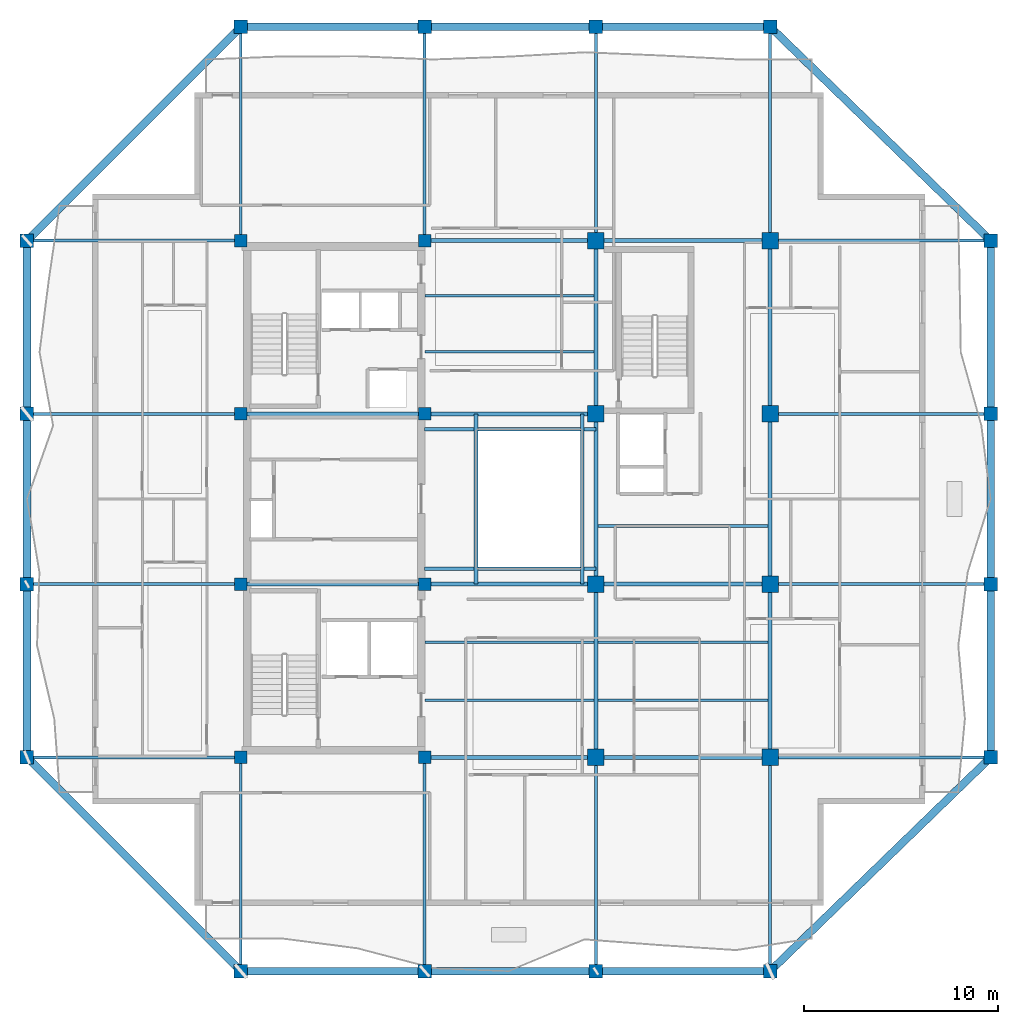
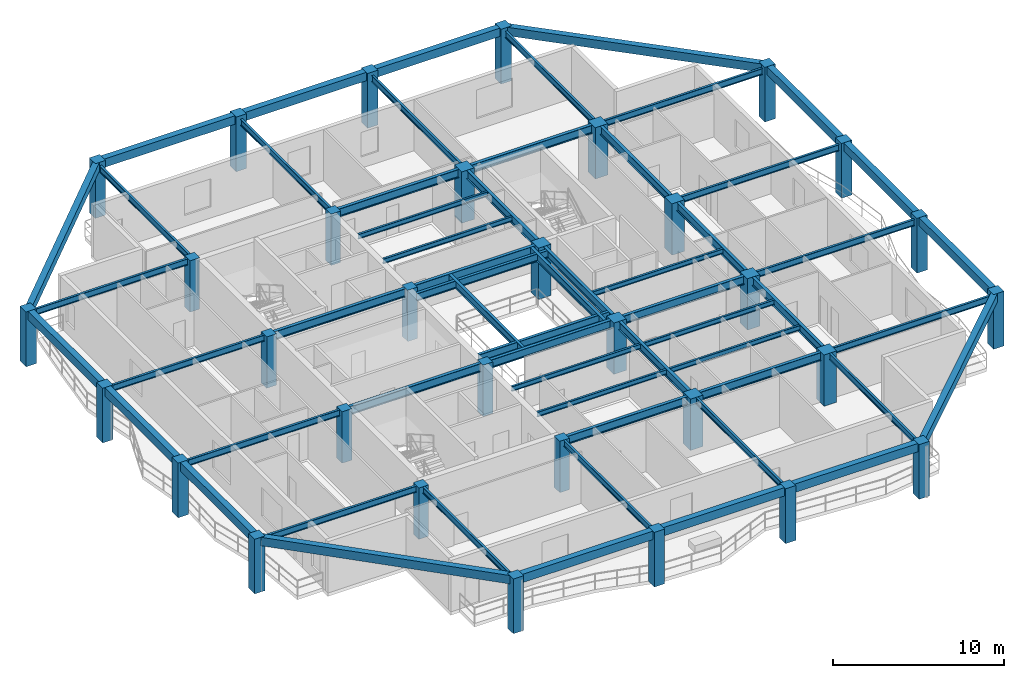
# One storey, part 1 of 11: 58 beams, 32 columns.
"""IFC4 building model written with IfcOpenShell, lengths in metres."""

import ifcopenshell
import ifcopenshell.guid

model = None  # the IFC model being written
_history = None  # IfcOwnerHistory: only IFC2X3 demands one
_inside = {}  # id of a spatial element -> (the spatial element, [elements in it])
_under = {}  # id of a project, library or spatial element -> (it, [spatial elements below it])
_declared = {}  # id of a project -> (the project, [libraries it declares])
_typed = {}  # id of a type object -> (the type object, [elements of that type])
_made_of = {}  # id of a material, layer set ... -> (it, [elements and type objects made of it])


def new_model(schema):
    """Start an empty IFC model of exactly this schema.

    Asked for "IFC4X3", IfcOpenShell would pick the latest addendum, in which some entities
    have other attributes; the version numbers below select the first issue.
    IFC2X3 requires an IfcOwnerHistory on every rooted entity: one is made here for all.
    """
    global model, _history
    if schema == "IFC4X3":
        model = ifcopenshell.file(schema_version=(4, 3, 0, 0))
    else:
        model = ifcopenshell.file(schema=schema)
    _inside.clear()
    _under.clear()
    _declared.clear()
    _typed.clear()
    _made_of.clear()
    _history = None
    if model.schema == "IFC2X3":
        org = make("IfcOrganization", Name="unknown")
        user = make(
            "IfcPersonAndOrganization",
            ThePerson=make("IfcPerson", FamilyName="unknown"),
            TheOrganization=org,
        )
        app = make(
            "IfcApplication",
            ApplicationDeveloper=org,
            Version="unknown",
            ApplicationFullName="unknown",
            ApplicationIdentifier="unknown",
        )
        _history = make(
            "IfcOwnerHistory",
            OwningUser=user,
            OwningApplication=app,
            ChangeAction="ADDED",
            CreationDate=0,
        )
    return model


def make(cls, **values):
    """One entity of the class cls with the attributes given. An attribute that is None is left unset."""
    return model.create_entity(
        cls, **{name: value for name, value in values.items() if value is not None}
    )


def rooted(cls, **values):
    """An entity with a GlobalId (a new one), such as an element, a storey or a relation."""
    return make(cls, GlobalId=ifcopenshell.guid.new(), OwnerHistory=_history, **values)


def si_unit(unit_type, name, prefix=None):
    """IfcSIUnit, for example si_unit("LENGTHUNIT", "METRE", prefix="MILLI")."""
    return make("IfcSIUnit", UnitType=unit_type, Prefix=prefix, Name=name)


def assignment(units):
    """IfcUnitAssignment: the units of a project."""
    return None if units is None else make("IfcUnitAssignment", Units=units)


def point(xyz):
    """IfcCartesianPoint."""
    return None if xyz is None else make("IfcCartesianPoint", Coordinates=xyz)


def direction(xyz):
    """IfcDirection."""
    return None if xyz is None else make("IfcDirection", DirectionRatios=xyz)


def frame(location, z_axis=None, x_axis=None):
    """IfcAxis2Placement3D, a coordinate frame: its origin and axes. An axis left out is left unset."""
    return make(
        "IfcAxis2Placement3D",
        Location=point(location),
        Axis=direction(z_axis),
        RefDirection=direction(x_axis),
    )


def frame_2d(location, x_axis=None):
    """IfcAxis2Placement2D, a coordinate frame in the plane: its origin and x axis."""
    return make(
        "IfcAxis2Placement2D", Location=point(location), RefDirection=direction(x_axis)
    )


def origin():
    """The frame at (0, 0, 0) with its axes left unset."""
    return frame((0.0, 0.0, 0.0))


def origin_2d():
    """The frame at (0, 0) in the plane with its x axis left unset."""
    return frame_2d((0.0, 0.0))


def place(relative_to, where):
    """IfcLocalPlacement: puts the frame where relative to a parent placement (None: the world)."""
    return make(
        "IfcLocalPlacement", PlacementRelTo=relative_to, RelativePlacement=where
    )


def context(
    kind, dimensions, precision=None, world=None, true_north=None, identifier=None
):
    """IfcGeometricRepresentationContext, for example the 3D "Model" context."""
    return make(
        "IfcGeometricRepresentationContext",
        ContextIdentifier=identifier,
        ContextType=kind,
        CoordinateSpaceDimension=dimensions,
        Precision=precision,
        WorldCoordinateSystem=world,
        TrueNorth=true_north,
    )


def subcontext(parent, identifier, kind, view, scale=None):
    """IfcGeometricRepresentationSubContext, for example "Body" below "Model"."""
    return make(
        "IfcGeometricRepresentationSubContext",
        ContextIdentifier=identifier,
        ContextType=kind,
        ParentContext=parent,
        TargetScale=scale,
        TargetView=view,
    )


def project(units=None, contexts=None):
    """IfcProject with its units and contexts."""
    return rooted(
        "IfcProject",
        Name="project",
        RepresentationContexts=contexts,
        UnitsInContext=assignment(units),
    )


def spatial(cls, under=None, at=None, **own):
    """A site, building, storey or space (cls), placed at a placement, below another one or the project."""
    s = rooted(cls, ObjectPlacement=at, **own)
    if under is not None:
        _under.setdefault(under.id(), (under, []))[1].append(s)
    return s


def profile(cls, at=None, kind="AREA", **sizes):
    """A parametric profile (cls). Its sizes go by their IFC names, for example OverallWidth=200.0."""
    return make(cls, ProfileType=kind, Position=at, **sizes)


def rectangle(**sizes):
    """IfcRectangleProfileDef."""
    return profile("IfcRectangleProfileDef", **sizes)


def i_section(**sizes):
    """IfcIShapeProfileDef."""
    return profile("IfcIShapeProfileDef", **sizes)


def extrude(swept, where, along, depth):
    """IfcExtrudedAreaSolid: the profile swept, set in the frame where, extruded along a direction by depth."""
    return make(
        "IfcExtrudedAreaSolid",
        SweptArea=swept,
        Position=where,
        ExtrudedDirection=direction(along),
        Depth=depth,
    )


def shape(context_of_items, identifier, shape_type, items):
    """IfcShapeRepresentation: the items that make up one representation, for example the "Body"."""
    return make(
        "IfcShapeRepresentation",
        ContextOfItems=context_of_items,
        RepresentationIdentifier=identifier,
        RepresentationType=shape_type,
        Items=items,
    )


def material(Name=None, Category=None):
    """IfcMaterial."""
    return make("IfcMaterial", Name=Name, Category=Category)


def material_profile(
    of_material, cross_section, Name=None, Category=None, Priority=None
):
    """IfcMaterialProfile: a cross section and its material."""
    return make(
        "IfcMaterialProfile",
        Name=Name,
        Material=of_material,
        Profile=cross_section,
        Priority=Priority,
        Category=Category,
    )


def profile_set(profiles, Name=None, composite=None):
    """IfcMaterialProfileSet."""
    return make(
        "IfcMaterialProfileSet",
        Name=Name,
        MaterialProfiles=profiles,
        CompositeProfile=composite,
    )


def made_of(thing, what):
    """Note that an element or type object is made of a material, layer set ...; save() writes the relation."""
    if what is not None:
        _made_of.setdefault(what.id(), (what, []))[1].append(thing)
    return thing


def type_object(cls, material=None, **own):
    """A type object (cls), such as IfcWallType, which elements share."""
    return made_of(rooted(cls, **own), material)


def element(
    cls,
    number,
    at=None,
    inside=None,
    cuts=None,
    type_object=None,
    material=None,
    context=None,
    identifier="Body",
    shape_type=None,
    held_by="IfcProductDefinitionShape",
    body=None,
    shapes=None,
    **own,
):
    """One element of the class cls, such as IfcWall. Its Tag is "e" and its number.

    at: its placement. inside: the storey or other place that contains it. cuts: it is an
    opening in that element (IfcRelVoidsElement). A single representation is given by context,
    identifier, shape_type and body (its items); several are given by shapes. held_by: the class
    of the entity that holds the representations. save() writes the other relations.
    """
    e = rooted(cls, Tag="e%d" % number, ObjectPlacement=at, **own)
    if body is not None:
        shapes = [shape(context, identifier, shape_type, body)]
    if shapes is not None:
        e.Representation = make(held_by, Representations=shapes)
    if inside is not None:
        _inside.setdefault(inside.id(), (inside, []))[1].append(e)
    if cuts is not None:
        rooted(
            "IfcRelVoidsElement", RelatingBuildingElement=cuts, RelatedOpeningElement=e
        )
    if type_object is not None:
        _typed.setdefault(type_object.id(), (type_object, []))[1].append(e)
    return made_of(e, material)


def aggregate(whole, parts):
    """IfcRelAggregates: a whole, such as a stair, and the parts it consists of."""
    return rooted("IfcRelAggregates", RelatingObject=whole, RelatedObjects=parts)


def save(model, path):
    """Write the relations noted so far, then the file.

    IfcRelAggregates (storeys below a building ...), IfcRelContainedInSpatialStructure (elements
    in a storey), IfcRelDefinesByType, IfcRelAssociatesMaterial and IfcRelDeclares: one each for
    every whole, place, type object, material and project.
    """
    for whole, parts in _under.values():
        aggregate(whole, parts)
    for where, things in _inside.values():
        rooted(
            "IfcRelContainedInSpatialStructure",
            RelatedElements=things,
            RelatingStructure=where,
        )
    for kind, things in _typed.values():
        rooted("IfcRelDefinesByType", RelatedObjects=things, RelatingType=kind)
    for what, things in _made_of.values():
        rooted("IfcRelAssociatesMaterial", RelatedObjects=things, RelatingMaterial=what)
    for by, libraries in _declared.values():
        rooted("IfcRelDeclares", RelatingContext=by, RelatedDefinitions=libraries)
    model.write(path)


model = new_model("IFC4")

# Units and contexts
model_context = context("Model", 3, precision=1e-05, world=origin(), true_north=direction((0.0, 1.0)))
body_context = subcontext(model_context, "Body", "Model", "MODEL_VIEW")
ifc_project = project(units=[si_unit("LENGTHUNIT", "METRE"), si_unit("AREAUNIT", "SQUARE_METRE"), si_unit("VOLUMEUNIT", "CUBIC_METRE"), si_unit("PLANEANGLEUNIT", "RADIAN"), si_unit("MASSUNIT", "GRAM", prefix="KILO")], contexts=[model_context])

# Site, building, storey
site_placement = place(None, origin())
site = spatial("IfcSite", under=ifc_project, at=site_placement, CompositionType="ELEMENT")
building_placement = place(site_placement, origin())
building = spatial("IfcBuilding", under=site, at=building_placement, Name="Kundavana Baori Tower", CompositionType="ELEMENT")
storey_placement = place(building_placement, frame((0.0, 0.0, 221.89990234375)))
storey = spatial("IfcBuildingStorey", under=building, at=storey_placement, Name="L54", CompositionType="ELEMENT", Elevation=221.89990234375)

# Columns
ifc_material_1 = material(Name="Concrete C50/60", Category="concrete")
ifc_material_profile_1 = material_profile(ifc_material_1, rectangle(XDim=0.699951171875, YDim=0.699951171875, at=origin_2d()), Name="RC PF 700x700")
ifc_profile_set_1 = profile_set([ifc_material_profile_1], Name="Concrete C50/60")
column_type_1 = type_object("IfcColumnType", Name="COL-PF-700", PredefinedType="COLUMN", material=ifc_profile_set_1)
for number, where, z_axis, x_axis, name in (
    (1, (15.449951171875, 4.199951171875, 0.0), (0.0, 0.0, 1.0), (1.0, 0.0, 0.0), "L54 Stone-Clad Perimeter Frame Column PF-S1"),
    (2, (15.449951171875, 53.0, 0.0), (0.0, 0.0, 1.0), (1.0, 0.0, 0.0), "L54 Stone-Clad Perimeter Frame Column PF-N1"),
    (3, (24.949951171875, 4.199951171875, 0.0), (0.0, 0.0, 1.0), (1.0, 0.0, 0.0), "L54 Stone-Clad Perimeter Frame Column PF-S2"),
    (4, (24.949951171875, 53.0, 0.0), (0.0, 0.0, 1.0), (1.0, 0.0, 0.0), "L54 Stone-Clad Perimeter Frame Column PF-N2"),
    (5, (33.800048828125, 4.199951171875, 0.0), (0.0, 0.0, 1.0), (1.0, 0.0, 0.0), "L54 Stone-Clad Perimeter Frame Column PF-S3"),
    (6, (33.800048828125, 53.0, 0.0), (0.0, 0.0, 1.0), (1.0, 0.0, 0.0), "L54 Stone-Clad Perimeter Frame Column PF-N3"),
    (7, (42.800048828125, 4.199951171875, 0.0), (0.0, 0.0, 1.0), (1.0, 0.0, 0.0), "L54 Stone-Clad Perimeter Frame Column PF-S4"),
    (8, (42.800048828125, 53.0, 0.0), (0.0, 0.0, 1.0), (1.0, 0.0, 0.0), "L54 Stone-Clad Perimeter Frame Column PF-N4"),
    (9, (4.39990234375, 15.25, 0.0), (0.0, 0.0, 1.0), (1.0, 0.0, 0.0), "L54 Stone-Clad Perimeter Frame Column PF-W1"),
    (10, (54.199951171875, 15.25, 0.0), (0.0, 0.0, 1.0), (1.0, 0.0, 0.0), "L54 Stone-Clad Perimeter Frame Column PF-E1"),
    (11, (4.39990234375, 24.199951171875, 0.0), (0.0, 0.0, 1.0), (1.0, 0.0, 0.0), "L54 Stone-Clad Perimeter Frame Column PF-W2"),
    (12, (54.199951171875, 24.199951171875, 0.0), (0.0, 0.0, 1.0), (1.0, 0.0, 0.0), "L54 Stone-Clad Perimeter Frame Column PF-E2"),
    (13, (4.39990234375, 33.0, 0.0), (0.0, 0.0, 1.0), (1.0, 0.0, 0.0), "L54 Stone-Clad Perimeter Frame Column PF-W3"),
    (14, (54.199951171875, 33.0, 0.0), (0.0, 0.0, 1.0), (1.0, 0.0, 0.0), "L54 Stone-Clad Perimeter Frame Column PF-E3"),
    (15, (4.39990234375, 41.949951171875, 0.0), (0.0, 0.0, 1.0), (1.0, 0.0, 0.0), "L54 Stone-Clad Perimeter Frame Column PF-W4"),
    (16, (54.199951171875, 41.949951171875, 0.0), (0.0, 0.0, 1.0), (1.0, 0.0, 0.0), "L54 Stone-Clad Perimeter Frame Column PF-E4"),
):
    element("IfcColumn", number, at=place(storey_placement, frame(where, z_axis=z_axis, x_axis=x_axis)), inside=storey, type_object=column_type_1, Name=name, PredefinedType="COLUMN", context=body_context, shape_type="SweptSolid", body=[
        extrude(rectangle(XDim=0.699951171875, YDim=0.699951171875, at=origin_2d()), origin(), (0.0, 0.0, 1.0), 3.900146484375),
    ])
ifc_material_2 = material(Name="Concrete C50/60", Category="concrete")
ifc_material_profile_2 = material_profile(ifc_material_2, rectangle(XDim=0.64990234375, YDim=0.64990234375, at=origin_2d()), Name="RC 650x650")
ifc_profile_set_2 = profile_set([ifc_material_profile_2], Name="Concrete C50/60")
column_type_2 = type_object("IfcColumnType", Name="COL-RC-650", PredefinedType="COLUMN", material=ifc_profile_set_2)
for number, where, z_axis, x_axis, name in (
    (17, (15.449951171875, 15.25, 0.0), (0.0, 0.0, 1.0), (1.0, 0.0, 0.0), "L54 Interior Column IC-3C"),
    (18, (15.449951171875, 24.199951171875, 0.0), (0.0, 0.0, 1.0), (1.0, 0.0, 0.0), "L54 Interior Column IC-3D"),
    (19, (15.449951171875, 33.0, 0.0), (0.0, 0.0, 1.0), (1.0, 0.0, 0.0), "L54 Interior Column IC-3E"),
    (20, (15.449951171875, 41.949951171875, 0.0), (0.0, 0.0, 1.0), (1.0, 0.0, 0.0), "L54 Interior Column IC-3F"),
    (21, (24.949951171875, 15.25, 0.0), (0.0, 0.0, 1.0), (1.0, 0.0, 0.0), "L54 Interior Column IC-4C"),
    (22, (24.949951171875, 24.199951171875, 0.0), (0.0, 0.0, 1.0), (1.0, 0.0, 0.0), "L54 Interior Column IC-4D"),
    (23, (24.949951171875, 33.0, 0.0), (0.0, 0.0, 1.0), (1.0, 0.0, 0.0), "L54 Interior Column IC-4E"),
    (24, (24.949951171875, 41.949951171875, 0.0), (0.0, 0.0, 1.0), (1.0, 0.0, 0.0), "L54 Interior Column IC-4F"),
):
    element("IfcColumn", number, at=place(storey_placement, frame(where, z_axis=z_axis, x_axis=x_axis)), inside=storey, type_object=column_type_2, Name=name, PredefinedType="COLUMN", context=body_context, shape_type="SweptSolid", body=[
        extrude(rectangle(XDim=0.64990234375, YDim=0.64990234375, at=origin_2d()), origin(), (0.0, 0.0, 1.0), 3.66015625),
    ])
ifc_material_3 = material(Name="Concrete C50/60", Category="concrete")
ifc_material_profile_3 = material_profile(ifc_material_3, rectangle(XDim=0.85009765625, YDim=0.85009765625, at=origin_2d()), Name="RC 850x850")
ifc_profile_set_3 = profile_set([ifc_material_profile_3], Name="Concrete C50/60")
column_type_3 = type_object("IfcColumnType", Name="COL-RC-850", PredefinedType="COLUMN", material=ifc_profile_set_3)
for number, where, z_axis, x_axis, name in (
    (25, (33.800048828125, 15.25, 0.0), (0.0, 0.0, 1.0), (1.0, 0.0, 0.0), "L54 Interior Column IC-5C"),
    (26, (33.800048828125, 24.199951171875, 0.0), (0.0, 0.0, 1.0), (1.0, 0.0, 0.0), "L54 Interior Column IC-5D"),
    (27, (33.800048828125, 33.0, 0.0), (0.0, 0.0, 1.0), (1.0, 0.0, 0.0), "L54 Interior Column IC-5E"),
    (28, (33.800048828125, 41.949951171875, 0.0), (0.0, 0.0, 1.0), (1.0, 0.0, 0.0), "L54 Interior Column IC-5F"),
    (29, (42.800048828125, 15.25, 0.0), (0.0, 0.0, 1.0), (1.0, 0.0, 0.0), "L54 Interior Column IC-6C"),
    (30, (42.800048828125, 24.199951171875, 0.0), (0.0, 0.0, 1.0), (1.0, 0.0, 0.0), "L54 Interior Column IC-6D"),
    (31, (42.800048828125, 33.0, 0.0), (0.0, 0.0, 1.0), (1.0, 0.0, 0.0), "L54 Interior Column IC-6E"),
    (32, (42.800048828125, 41.949951171875, 0.0), (0.0, 0.0, 1.0), (1.0, 0.0, 0.0), "L54 Interior Column IC-6F"),
):
    element("IfcColumn", number, at=place(storey_placement, frame(where, z_axis=z_axis, x_axis=x_axis)), inside=storey, type_object=column_type_3, Name=name, PredefinedType="COLUMN", context=body_context, shape_type="SweptSolid", body=[
        extrude(rectangle(XDim=0.85009765625, YDim=0.85009765625, at=origin_2d()), origin(), (0.0, 0.0, 1.0), 3.66015625),
    ])

# Beams
ifc_material_4 = material(Name="Structural Steel S355JR", Category="steel")
ifc_material_profile_4 = material_profile(ifc_material_4, i_section(OverallWidth=0.139892578125, OverallDepth=0.35009765625, WebThickness=0.008056640625, FlangeThickness=0.01416015625, FilletRadius=0.013916015625, at=origin_2d()), Name="ISMB 350")
ifc_profile_set_4 = profile_set([ifc_material_profile_4], Name="Structural Steel S355JR")
beam_type_1 = type_object("IfcBeamType", Name="BM-JST-350", PredefinedType="JOIST", material=ifc_profile_set_4)
for number, where, z_axis, x_axis, name in (
    (33, (24.97998046875, 18.199951171875, 3.485107421875), (1.0, 0.0, 0.0), (0.0, 1.0, 0.0), "L54 Central Bay Composite Floor Joist C1"),
    (34, (24.97998046875, 21.199951171875, 3.485107421875), (1.0, 0.0, 0.0), (0.0, 1.0, 0.0), "L54 Central Bay Composite Floor Joist C2"),
    (35, (24.97998046875, 36.199951171875, 3.485107421875), (1.0, 0.0, 0.0), (0.0, 1.0, 0.0), "L54 Central Bay Composite Floor Joist C3"),
    (36, (24.97998046875, 39.10009765625, 3.485107421875), (1.0, 0.0, 0.0), (0.0, 1.0, 0.0), "L54 Central Bay Composite Floor Joist C4"),
):
    element("IfcBeam", number, at=place(storey_placement, frame(where, z_axis=z_axis, x_axis=x_axis)), inside=storey, type_object=beam_type_1, Name=name, PredefinedType="JOIST", context=body_context, shape_type="SweptSolid", body=[
        extrude(i_section(OverallWidth=0.139892578125, OverallDepth=0.35009765625, WebThickness=0.008056640625, FlangeThickness=0.01416015625, FilletRadius=0.013916015625, at=origin_2d()), origin(), (0.0, 0.0, 1.0), 8.715087890625),
    ])
for number, where, z_axis, x_axis, name in (
    (37, (33.905029296875, 18.199951171875, 3.485107421875), (1.0, 0.0, 0.0), (0.0, 1.0, 0.0), "L54 East Bay Composite Floor Joist E1"),
    (38, (33.905029296875, 21.199951171875, 3.485107421875), (1.0, 0.0, 0.0), (0.0, 1.0, 0.0), "L54 East Bay Composite Floor Joist E2"),
    (39, (33.905029296875, 27.199951171875, 3.485107421875), (1.0, 0.0, 0.0), (0.0, 1.0, 0.0), "L54 East Bay Composite Floor Joist E3"),
):
    element("IfcBeam", number, at=place(storey_placement, frame(where, z_axis=z_axis, x_axis=x_axis)), inside=storey, type_object=beam_type_1, Name=name, PredefinedType="JOIST", context=body_context, shape_type="SweptSolid", body=[
        extrude(i_section(OverallWidth=0.139892578125, OverallDepth=0.35009765625, WebThickness=0.008056640625, FlangeThickness=0.01416015625, FilletRadius=0.013916015625, at=origin_2d()), origin(), (0.0, 0.0, 1.0), 8.7900390625),
    ])
ifc_material_5 = material(Name="Concrete C50/60", Category="concrete")
ifc_material_profile_5 = material_profile(ifc_material_5, rectangle(XDim=0.39990234375, YDim=0.60009765625, at=origin_2d()), Name="RC BM 400x600")
ifc_profile_set_5 = profile_set([ifc_material_profile_5], Name="Concrete C50/60")
beam_type_2 = type_object("IfcBeamType", Name="BM-PF-600", PredefinedType="SPANDREL", material=ifc_profile_set_5)
beam_1_placement = place(storey_placement, frame((15.449951171875, 4.199951171875, 3.60009765625), z_axis=(1.0, 0.0, 0.0), x_axis=(0.0, 1.0, 0.0)))
element("IfcBeam", 40, at=beam_1_placement, inside=storey, type_object=beam_type_2, Name="L54 Perimeter Frame Ring Beam S1", PredefinedType="SPANDREL", context=body_context, shape_type="SweptSolid", body=[
    extrude(rectangle(XDim=0.39990234375, YDim=0.60009765625, at=origin_2d()), origin(), (0.0, 0.0, 1.0), 9.5),
])
beam_2_placement = place(storey_placement, frame((24.949951171875, 4.199951171875, 3.60009765625), z_axis=(1.0, 0.0, 0.0), x_axis=(0.0, 1.0, 0.0)))
element("IfcBeam", 41, at=beam_2_placement, inside=storey, type_object=beam_type_2, Name="L54 Perimeter Frame Ring Beam S2", PredefinedType="SPANDREL", context=body_context, shape_type="SweptSolid", body=[
    extrude(rectangle(XDim=0.39990234375, YDim=0.60009765625, at=origin_2d()), origin(), (0.0, 0.0, 1.0), 8.85009765625),
])
beam_3_placement = place(storey_placement, frame((33.800048828125, 4.199951171875, 3.60009765625), z_axis=(1.0, 0.0, 0.0), x_axis=(0.0, 1.0, 0.0)))
element("IfcBeam", 42, at=beam_3_placement, inside=storey, type_object=beam_type_2, Name="L54 Perimeter Frame Ring Beam S3", PredefinedType="SPANDREL", context=body_context, shape_type="SweptSolid", body=[
    extrude(rectangle(XDim=0.39990234375, YDim=0.60009765625, at=origin_2d()), origin(), (0.0, 0.0, 1.0), 9.0),
])
beam_4_placement = place(storey_placement, frame((15.449951171875, 53.0, 3.60009765625), z_axis=(1.0, 0.0, 0.0), x_axis=(0.0, 1.0, 0.0)))
element("IfcBeam", 43, at=beam_4_placement, inside=storey, type_object=beam_type_2, Name="L54 Perimeter Frame Ring Beam N1", PredefinedType="SPANDREL", context=body_context, shape_type="SweptSolid", body=[
    extrude(rectangle(XDim=0.39990234375, YDim=0.60009765625, at=origin_2d()), origin(), (0.0, 0.0, 1.0), 9.5),
])
beam_5_placement = place(storey_placement, frame((24.949951171875, 53.0, 3.60009765625), z_axis=(1.0, 0.0, 0.0), x_axis=(0.0, 1.0, 0.0)))
element("IfcBeam", 44, at=beam_5_placement, inside=storey, type_object=beam_type_2, Name="L54 Perimeter Frame Ring Beam N2", PredefinedType="SPANDREL", context=body_context, shape_type="SweptSolid", body=[
    extrude(rectangle(XDim=0.39990234375, YDim=0.60009765625, at=origin_2d()), origin(), (0.0, 0.0, 1.0), 8.85009765625),
])
beam_6_placement = place(storey_placement, frame((33.800048828125, 53.0, 3.60009765625), z_axis=(1.0, 0.0, 0.0), x_axis=(0.0, 1.0, 0.0)))
element("IfcBeam", 45, at=beam_6_placement, inside=storey, type_object=beam_type_2, Name="L54 Perimeter Frame Ring Beam N3", PredefinedType="SPANDREL", context=body_context, shape_type="SweptSolid", body=[
    extrude(rectangle(XDim=0.39990234375, YDim=0.60009765625, at=origin_2d()), origin(), (0.0, 0.0, 1.0), 9.0),
])
beam_7_placement = place(storey_placement, frame((4.39990234375, 15.25, 3.60009765625), z_axis=(0.0, 1.0, 0.0), x_axis=(-1.0, 0.0, 0.0)))
element("IfcBeam", 46, at=beam_7_placement, inside=storey, type_object=beam_type_2, Name="L54 Perimeter Frame Ring Beam W1", PredefinedType="SPANDREL", context=body_context, shape_type="SweptSolid", body=[
    extrude(rectangle(XDim=0.39990234375, YDim=0.60009765625, at=origin_2d()), origin(), (0.0, 0.0, 1.0), 8.949951171875),
])
beam_8_placement = place(storey_placement, frame((4.39990234375, 24.199951171875, 3.60009765625), z_axis=(0.0, 1.0, 0.0), x_axis=(-1.0, 0.0, 0.0)))
element("IfcBeam", 47, at=beam_8_placement, inside=storey, type_object=beam_type_2, Name="L54 Perimeter Frame Ring Beam W2", PredefinedType="SPANDREL", context=body_context, shape_type="SweptSolid", body=[
    extrude(rectangle(XDim=0.39990234375, YDim=0.60009765625, at=origin_2d()), origin(), (0.0, 0.0, 1.0), 8.800048828125),
])
for number, where, z_axis, x_axis, name in (
    (48, (4.39990234375, 33.0, 3.60009765625), (0.0, 1.0, 0.0), (-1.0, 0.0, 0.0), "L54 Perimeter Frame Ring Beam W3"),
    (49, (54.199951171875, 15.25, 3.60009765625), (0.0, 1.0, 0.0), (-1.0, 0.0, 0.0), "L54 Perimeter Frame Ring Beam E1"),
):
    element("IfcBeam", number, at=place(storey_placement, frame(where, z_axis=z_axis, x_axis=x_axis)), inside=storey, type_object=beam_type_2, Name=name, PredefinedType="SPANDREL", context=body_context, shape_type="SweptSolid", body=[
        extrude(rectangle(XDim=0.39990234375, YDim=0.60009765625, at=origin_2d()), origin(), (0.0, 0.0, 1.0), 8.949951171875),
    ])
beam_9_placement = place(storey_placement, frame((54.199951171875, 24.199951171875, 3.60009765625), z_axis=(0.0, 1.0, 0.0), x_axis=(-1.0, 0.0, 0.0)))
element("IfcBeam", 50, at=beam_9_placement, inside=storey, type_object=beam_type_2, Name="L54 Perimeter Frame Ring Beam E2", PredefinedType="SPANDREL", context=body_context, shape_type="SweptSolid", body=[
    extrude(rectangle(XDim=0.39990234375, YDim=0.60009765625, at=origin_2d()), origin(), (0.0, 0.0, 1.0), 8.800048828125),
])
beam_10_placement = place(storey_placement, frame((54.199951171875, 33.0, 3.60009765625), z_axis=(0.0, 1.0, 0.0), x_axis=(-1.0, 0.0, 0.0)))
element("IfcBeam", 51, at=beam_10_placement, inside=storey, type_object=beam_type_2, Name="L54 Perimeter Frame Ring Beam E3", PredefinedType="SPANDREL", context=body_context, shape_type="SweptSolid", body=[
    extrude(rectangle(XDim=0.39990234375, YDim=0.60009765625, at=origin_2d()), origin(), (0.0, 0.0, 1.0), 8.949951171875),
])
beam_11_placement = place(storey_placement, frame((15.449951171875, 4.199951171875, 3.60009765625), z_axis=(-0.707106781187, 0.707106781187, 0.0), x_axis=(-0.707106781187, -0.707106781187, 0.0)))
element("IfcBeam", 52, at=beam_11_placement, inside=storey, type_object=beam_type_2, Name="L54 Notched Corner Perimeter Beam SW", PredefinedType="SPANDREL", context=body_context, shape_type="SweptSolid", body=[
    extrude(rectangle(XDim=0.39990234375, YDim=0.60009765625, at=origin_2d()), origin(), (0.0, 0.0, 1.0), 15.627197265625),
])
beam_12_placement = place(storey_placement, frame((42.800048828125, 4.199951171875, 3.60009765625), z_axis=(0.718038944492, 0.696002926857, 0.0), x_axis=(-0.696002926857, 0.718038944492, 0.0)))
element("IfcBeam", 53, at=beam_12_placement, inside=storey, type_object=beam_type_2, Name="L54 Notched Corner Perimeter Beam SE", PredefinedType="SPANDREL", context=body_context, shape_type="SweptSolid", body=[
    extrude(rectangle(XDim=0.39990234375, YDim=0.60009765625, at=origin_2d()), origin(), (0.0, 0.0, 1.0), 15.87646484375),
])
beam_13_placement = place(storey_placement, frame((15.449951171875, 53.0, 3.60009765625), z_axis=(-0.707106781187, -0.707106781187, 0.0), x_axis=(0.707106781187, -0.707106781187, 0.0)))
element("IfcBeam", 54, at=beam_13_placement, inside=storey, type_object=beam_type_2, Name="L54 Notched Corner Perimeter Beam NW", PredefinedType="SPANDREL", context=body_context, shape_type="SweptSolid", body=[
    extrude(rectangle(XDim=0.39990234375, YDim=0.60009765625, at=origin_2d()), origin(), (0.0, 0.0, 1.0), 15.627197265625),
])
beam_14_placement = place(storey_placement, frame((42.800048828125, 53.0, 3.60009765625), z_axis=(0.718038944492, -0.696002926857, 0.0), x_axis=(0.696002926857, 0.718038944492, 0.0)))
element("IfcBeam", 55, at=beam_14_placement, inside=storey, type_object=beam_type_2, Name="L54 Notched Corner Perimeter Beam NE", PredefinedType="SPANDREL", context=body_context, shape_type="SweptSolid", body=[
    extrude(rectangle(XDim=0.39990234375, YDim=0.60009765625, at=origin_2d()), origin(), (0.0, 0.0, 1.0), 15.87646484375),
])
ifc_material_6 = material(Name="Structural Steel S355JR", Category="steel")
ifc_material_profile_6 = material_profile(ifc_material_6, i_section(OverallWidth=0.18994140625, OverallDepth=0.550048828125, WebThickness=0.01123046875, FlangeThickness=0.019287109375, FilletRadius=0.01806640625, at=origin_2d()), Name="ISMB 550")
ifc_profile_set_6 = profile_set([ifc_material_profile_6], Name="Structural Steel S355JR")
beam_type_3 = type_object("IfcBeamType", Name="BM-ST-550", PredefinedType="BEAM", material=ifc_profile_set_6)
for number, where, z_axis, x_axis, name in (
    (56, (27.60009765625, 24.199951171875, 3.385009765625), (0.0, 1.0, 0.0), (-1.0, 0.0, 0.0), "L54 Atrium West Edge Beam"),
    (57, (33.10009765625, 24.199951171875, 3.385009765625), (0.0, 1.0, 0.0), (-1.0, 0.0, 0.0), "L54 Atrium East Edge Beam"),
):
    element("IfcBeam", number, at=place(storey_placement, frame(where, z_axis=z_axis, x_axis=x_axis)), inside=storey, type_object=beam_type_3, Name=name, PredefinedType="BEAM", context=body_context, shape_type="SweptSolid", body=[
        extrude(i_section(OverallWidth=0.18994140625, OverallDepth=0.550048828125, WebThickness=0.01123046875, FlangeThickness=0.019287109375, FilletRadius=0.01806640625, at=origin_2d()), origin(), (0.0, 0.0, 1.0), 8.800048828125),
    ])
for number, where, z_axis, x_axis, name in (
    (58, (24.949951171875, 25.0, 3.385009765625), (1.0, 0.0, 0.0), (0.0, 1.0, 0.0), "L54 Atrium South Edge Beam"),
    (59, (24.949951171875, 32.199951171875, 3.385009765625), (1.0, 0.0, 0.0), (0.0, 1.0, 0.0), "L54 Atrium North Edge Beam"),
):
    element("IfcBeam", number, at=place(storey_placement, frame(where, z_axis=z_axis, x_axis=x_axis)), inside=storey, type_object=beam_type_3, Name=name, PredefinedType="BEAM", context=body_context, shape_type="SweptSolid", body=[
        extrude(i_section(OverallWidth=0.18994140625, OverallDepth=0.550048828125, WebThickness=0.01123046875, FlangeThickness=0.019287109375, FilletRadius=0.01806640625, at=origin_2d()), origin(), (0.0, 0.0, 1.0), 8.85009765625),
    ])
ifc_material_7 = material(Name="Structural Steel S355JR", Category="steel")
ifc_material_profile_7 = material_profile(ifc_material_7, i_section(OverallWidth=0.2099609375, OverallDepth=0.60009765625, WebThickness=0.011962890625, FlangeThickness=0.020751953125, FilletRadius=0.02001953125, at=origin_2d()), Name="ISMB 600")
ifc_profile_set_7 = profile_set([ifc_material_profile_7], Name="Structural Steel S355JR")
beam_type_4 = type_object("IfcBeamType", Name="BM-ST-600", PredefinedType="BEAM", material=ifc_profile_set_7)
beam_15_placement = place(storey_placement, frame((24.949951171875, 15.25, 3.360107421875), z_axis=(1.0, 0.0, 0.0), x_axis=(0.0, 1.0, 0.0)))
element("IfcBeam", 60, at=beam_15_placement, inside=storey, type_object=beam_type_4, Name="L54 Primary Grid Girder GX-1-2", PredefinedType="BEAM", context=body_context, shape_type="SweptSolid", body=[
    extrude(i_section(OverallWidth=0.2099609375, OverallDepth=0.60009765625, WebThickness=0.011962890625, FlangeThickness=0.020751953125, FilletRadius=0.02001953125, at=origin_2d()), origin(), (0.0, 0.0, 1.0), 8.85009765625),
])
beam_16_placement = place(storey_placement, frame((33.800048828125, 15.25, 3.360107421875), z_axis=(1.0, 0.0, 0.0), x_axis=(0.0, 1.0, 0.0)))
element("IfcBeam", 61, at=beam_16_placement, inside=storey, type_object=beam_type_4, Name="L54 Primary Grid Girder GX-1-3", PredefinedType="BEAM", context=body_context, shape_type="SweptSolid", body=[
    extrude(i_section(OverallWidth=0.2099609375, OverallDepth=0.60009765625, WebThickness=0.011962890625, FlangeThickness=0.020751953125, FilletRadius=0.02001953125, at=origin_2d()), origin(), (0.0, 0.0, 1.0), 9.0),
])
beam_17_placement = place(storey_placement, frame((15.449951171875, 24.199951171875, 3.360107421875), z_axis=(1.0, 0.0, 0.0), x_axis=(0.0, 1.0, 0.0)))
element("IfcBeam", 62, at=beam_17_placement, inside=storey, type_object=beam_type_4, Name="L54 Primary Grid Girder GX-2-1", PredefinedType="BEAM", context=body_context, shape_type="SweptSolid", body=[
    extrude(i_section(OverallWidth=0.2099609375, OverallDepth=0.60009765625, WebThickness=0.011962890625, FlangeThickness=0.020751953125, FilletRadius=0.02001953125, at=origin_2d()), origin(), (0.0, 0.0, 1.0), 9.5),
])
beam_18_placement = place(storey_placement, frame((24.949951171875, 24.199951171875, 3.360107421875), z_axis=(1.0, 0.0, 0.0), x_axis=(0.0, 1.0, 0.0)))
element("IfcBeam", 63, at=beam_18_placement, inside=storey, type_object=beam_type_4, Name="L54 Primary Grid Girder GX-2-2", PredefinedType="BEAM", context=body_context, shape_type="SweptSolid", body=[
    extrude(i_section(OverallWidth=0.2099609375, OverallDepth=0.60009765625, WebThickness=0.011962890625, FlangeThickness=0.020751953125, FilletRadius=0.02001953125, at=origin_2d()), origin(), (0.0, 0.0, 1.0), 8.85009765625),
])
beam_19_placement = place(storey_placement, frame((33.800048828125, 24.199951171875, 3.360107421875), z_axis=(1.0, 0.0, 0.0), x_axis=(0.0, 1.0, 0.0)))
element("IfcBeam", 64, at=beam_19_placement, inside=storey, type_object=beam_type_4, Name="L54 Primary Grid Girder GX-2-3", PredefinedType="BEAM", context=body_context, shape_type="SweptSolid", body=[
    extrude(i_section(OverallWidth=0.2099609375, OverallDepth=0.60009765625, WebThickness=0.011962890625, FlangeThickness=0.020751953125, FilletRadius=0.02001953125, at=origin_2d()), origin(), (0.0, 0.0, 1.0), 9.0),
])
beam_20_placement = place(storey_placement, frame((15.449951171875, 33.0, 3.360107421875), z_axis=(1.0, 0.0, 0.0), x_axis=(0.0, 1.0, 0.0)))
element("IfcBeam", 65, at=beam_20_placement, inside=storey, type_object=beam_type_4, Name="L54 Primary Grid Girder GX-3-1", PredefinedType="BEAM", context=body_context, shape_type="SweptSolid", body=[
    extrude(i_section(OverallWidth=0.2099609375, OverallDepth=0.60009765625, WebThickness=0.011962890625, FlangeThickness=0.020751953125, FilletRadius=0.02001953125, at=origin_2d()), origin(), (0.0, 0.0, 1.0), 9.5),
])
for number, where, z_axis, x_axis, name in (
    (66, (24.949951171875, 33.0, 3.360107421875), (1.0, 0.0, 0.0), (0.0, 1.0, 0.0), "L54 Primary Grid Girder GX-3-2"),
    (67, (24.949951171875, 41.949951171875, 3.360107421875), (1.0, 0.0, 0.0), (0.0, 1.0, 0.0), "L54 Primary Grid Girder GX-4-2"),
):
    element("IfcBeam", number, at=place(storey_placement, frame(where, z_axis=z_axis, x_axis=x_axis)), inside=storey, type_object=beam_type_4, Name=name, PredefinedType="BEAM", context=body_context, shape_type="SweptSolid", body=[
        extrude(i_section(OverallWidth=0.2099609375, OverallDepth=0.60009765625, WebThickness=0.011962890625, FlangeThickness=0.020751953125, FilletRadius=0.02001953125, at=origin_2d()), origin(), (0.0, 0.0, 1.0), 8.85009765625),
    ])
beam_21_placement = place(storey_placement, frame((33.800048828125, 41.949951171875, 3.360107421875), z_axis=(1.0, 0.0, 0.0), x_axis=(0.0, 1.0, 0.0)))
element("IfcBeam", 68, at=beam_21_placement, inside=storey, type_object=beam_type_4, Name="L54 Primary Grid Girder GX-4-3", PredefinedType="BEAM", context=body_context, shape_type="SweptSolid", body=[
    extrude(i_section(OverallWidth=0.2099609375, OverallDepth=0.60009765625, WebThickness=0.011962890625, FlangeThickness=0.020751953125, FilletRadius=0.02001953125, at=origin_2d()), origin(), (0.0, 0.0, 1.0), 9.0),
])
beam_22_placement = place(storey_placement, frame((33.800048828125, 15.25, 3.360107421875), z_axis=(0.0, 1.0, 0.0), x_axis=(-1.0, 0.0, 0.0)))
element("IfcBeam", 69, at=beam_22_placement, inside=storey, type_object=beam_type_4, Name="L54 Primary Grid Girder GY-3-1", PredefinedType="BEAM", context=body_context, shape_type="SweptSolid", body=[
    extrude(i_section(OverallWidth=0.2099609375, OverallDepth=0.60009765625, WebThickness=0.011962890625, FlangeThickness=0.020751953125, FilletRadius=0.02001953125, at=origin_2d()), origin(), (0.0, 0.0, 1.0), 8.949951171875),
])
beam_23_placement = place(storey_placement, frame((33.800048828125, 24.199951171875, 3.360107421875), z_axis=(0.0, 1.0, 0.0), x_axis=(-1.0, 0.0, 0.0)))
element("IfcBeam", 70, at=beam_23_placement, inside=storey, type_object=beam_type_4, Name="L54 Primary Grid Girder GY-3-2", PredefinedType="BEAM", context=body_context, shape_type="SweptSolid", body=[
    extrude(i_section(OverallWidth=0.2099609375, OverallDepth=0.60009765625, WebThickness=0.011962890625, FlangeThickness=0.020751953125, FilletRadius=0.02001953125, at=origin_2d()), origin(), (0.0, 0.0, 1.0), 8.800048828125),
])
for number, where, z_axis, x_axis, name in (
    (71, (33.800048828125, 33.0, 3.360107421875), (0.0, 1.0, 0.0), (-1.0, 0.0, 0.0), "L54 Primary Grid Girder GY-3-3"),
    (72, (42.800048828125, 15.25, 3.360107421875), (0.0, 1.0, 0.0), (-1.0, 0.0, 0.0), "L54 Primary Grid Girder GY-4-1"),
):
    element("IfcBeam", number, at=place(storey_placement, frame(where, z_axis=z_axis, x_axis=x_axis)), inside=storey, type_object=beam_type_4, Name=name, PredefinedType="BEAM", context=body_context, shape_type="SweptSolid", body=[
        extrude(i_section(OverallWidth=0.2099609375, OverallDepth=0.60009765625, WebThickness=0.011962890625, FlangeThickness=0.020751953125, FilletRadius=0.02001953125, at=origin_2d()), origin(), (0.0, 0.0, 1.0), 8.949951171875),
    ])
beam_24_placement = place(storey_placement, frame((42.800048828125, 24.199951171875, 3.360107421875), z_axis=(0.0, 1.0, 0.0), x_axis=(-1.0, 0.0, 0.0)))
element("IfcBeam", 73, at=beam_24_placement, inside=storey, type_object=beam_type_4, Name="L54 Primary Grid Girder GY-4-2", PredefinedType="BEAM", context=body_context, shape_type="SweptSolid", body=[
    extrude(i_section(OverallWidth=0.2099609375, OverallDepth=0.60009765625, WebThickness=0.011962890625, FlangeThickness=0.020751953125, FilletRadius=0.02001953125, at=origin_2d()), origin(), (0.0, 0.0, 1.0), 8.800048828125),
])
beam_25_placement = place(storey_placement, frame((42.800048828125, 33.0, 3.360107421875), z_axis=(0.0, 1.0, 0.0), x_axis=(-1.0, 0.0, 0.0)))
element("IfcBeam", 74, at=beam_25_placement, inside=storey, type_object=beam_type_4, Name="L54 Primary Grid Girder GY-4-3", PredefinedType="BEAM", context=body_context, shape_type="SweptSolid", body=[
    extrude(i_section(OverallWidth=0.2099609375, OverallDepth=0.60009765625, WebThickness=0.011962890625, FlangeThickness=0.020751953125, FilletRadius=0.02001953125, at=origin_2d()), origin(), (0.0, 0.0, 1.0), 8.949951171875),
])
ifc_material_8 = material(Name="Structural Steel S355JR", Category="steel")
ifc_material_profile_8 = material_profile(ifc_material_8, i_section(OverallWidth=0.14990234375, OverallDepth=0.449951171875, WebThickness=0.009521484375, FlangeThickness=0.017333984375, FilletRadius=0.014892578125, at=origin_2d()), Name="ISMB 450")
ifc_profile_set_8 = profile_set([ifc_material_profile_8], Name="Structural Steel S355JR")
beam_type_5 = type_object("IfcBeamType", Name="BM-TIE-450", PredefinedType="BEAM", material=ifc_profile_set_8)
for number, where, z_axis, x_axis, name in (
    (75, (15.449951171875, 15.25, 3.43505859375), (0.0, -1.0, 0.0), (1.0, 0.0, 0.0), "L54 South Radial Loggia Tie Beam S1"),
    (76, (15.449951171875, 41.949951171875, 3.43505859375), (0.0, 1.0, 0.0), (-1.0, 0.0, 0.0), "L54 North Radial Loggia Tie Beam N1"),
    (77, (24.949951171875, 15.25, 3.43505859375), (0.0, -1.0, 0.0), (1.0, 0.0, 0.0), "L54 South Radial Loggia Tie Beam S2"),
    (78, (24.949951171875, 41.949951171875, 3.43505859375), (0.0, 1.0, 0.0), (-1.0, 0.0, 0.0), "L54 North Radial Loggia Tie Beam N2"),
    (79, (33.800048828125, 15.25, 3.43505859375), (0.0, -1.0, 0.0), (1.0, 0.0, 0.0), "L54 South Radial Loggia Tie Beam S3"),
    (80, (33.800048828125, 41.949951171875, 3.43505859375), (0.0, 1.0, 0.0), (-1.0, 0.0, 0.0), "L54 North Radial Loggia Tie Beam N3"),
    (81, (42.800048828125, 15.25, 3.43505859375), (0.0, -1.0, 0.0), (1.0, 0.0, 0.0), "L54 South Radial Loggia Tie Beam S4"),
    (82, (42.800048828125, 41.949951171875, 3.43505859375), (0.0, 1.0, 0.0), (-1.0, 0.0, 0.0), "L54 North Radial Loggia Tie Beam N4"),
    (83, (15.449951171875, 15.25, 3.43505859375), (-1.0, 0.0, 0.0), (0.0, -1.0, 0.0), "L54 West Radial Loggia Tie Beam W1"),
):
    element("IfcBeam", number, at=place(storey_placement, frame(where, z_axis=z_axis, x_axis=x_axis)), inside=storey, type_object=beam_type_5, Name=name, PredefinedType="BEAM", context=body_context, shape_type="SweptSolid", body=[
        extrude(i_section(OverallWidth=0.14990234375, OverallDepth=0.449951171875, WebThickness=0.009521484375, FlangeThickness=0.017333984375, FilletRadius=0.014892578125, at=origin_2d()), origin(), (0.0, 0.0, 1.0), 11.050048828125),
    ])
beam_26_placement = place(storey_placement, frame((42.800048828125, 15.25, 3.43505859375), z_axis=(1.0, 0.0, 0.0), x_axis=(0.0, 1.0, 0.0)))
element("IfcBeam", 84, at=beam_26_placement, inside=storey, type_object=beam_type_5, Name="L54 East Radial Loggia Tie Beam E1", PredefinedType="BEAM", context=body_context, shape_type="SweptSolid", body=[
    extrude(i_section(OverallWidth=0.14990234375, OverallDepth=0.449951171875, WebThickness=0.009521484375, FlangeThickness=0.017333984375, FilletRadius=0.014892578125, at=origin_2d()), origin(), (0.0, 0.0, 1.0), 11.39990234375),
])
beam_27_placement = place(storey_placement, frame((15.449951171875, 24.199951171875, 3.43505859375), z_axis=(-1.0, 0.0, 0.0), x_axis=(0.0, -1.0, 0.0)))
element("IfcBeam", 85, at=beam_27_placement, inside=storey, type_object=beam_type_5, Name="L54 West Radial Loggia Tie Beam W2", PredefinedType="BEAM", context=body_context, shape_type="SweptSolid", body=[
    extrude(i_section(OverallWidth=0.14990234375, OverallDepth=0.449951171875, WebThickness=0.009521484375, FlangeThickness=0.017333984375, FilletRadius=0.014892578125, at=origin_2d()), origin(), (0.0, 0.0, 1.0), 11.050048828125),
])
beam_28_placement = place(storey_placement, frame((42.800048828125, 24.199951171875, 3.43505859375), z_axis=(1.0, 0.0, 0.0), x_axis=(0.0, 1.0, 0.0)))
element("IfcBeam", 86, at=beam_28_placement, inside=storey, type_object=beam_type_5, Name="L54 East Radial Loggia Tie Beam E2", PredefinedType="BEAM", context=body_context, shape_type="SweptSolid", body=[
    extrude(i_section(OverallWidth=0.14990234375, OverallDepth=0.449951171875, WebThickness=0.009521484375, FlangeThickness=0.017333984375, FilletRadius=0.014892578125, at=origin_2d()), origin(), (0.0, 0.0, 1.0), 11.39990234375),
])
beam_29_placement = place(storey_placement, frame((15.449951171875, 33.0, 3.43505859375), z_axis=(-1.0, 0.0, 0.0), x_axis=(0.0, -1.0, 0.0)))
element("IfcBeam", 87, at=beam_29_placement, inside=storey, type_object=beam_type_5, Name="L54 West Radial Loggia Tie Beam W3", PredefinedType="BEAM", context=body_context, shape_type="SweptSolid", body=[
    extrude(i_section(OverallWidth=0.14990234375, OverallDepth=0.449951171875, WebThickness=0.009521484375, FlangeThickness=0.017333984375, FilletRadius=0.014892578125, at=origin_2d()), origin(), (0.0, 0.0, 1.0), 11.050048828125),
])
beam_30_placement = place(storey_placement, frame((42.800048828125, 33.0, 3.43505859375), z_axis=(1.0, 0.0, 0.0), x_axis=(0.0, 1.0, 0.0)))
element("IfcBeam", 88, at=beam_30_placement, inside=storey, type_object=beam_type_5, Name="L54 East Radial Loggia Tie Beam E3", PredefinedType="BEAM", context=body_context, shape_type="SweptSolid", body=[
    extrude(i_section(OverallWidth=0.14990234375, OverallDepth=0.449951171875, WebThickness=0.009521484375, FlangeThickness=0.017333984375, FilletRadius=0.014892578125, at=origin_2d()), origin(), (0.0, 0.0, 1.0), 11.39990234375),
])
beam_31_placement = place(storey_placement, frame((15.449951171875, 41.949951171875, 3.43505859375), z_axis=(-1.0, 0.0, 0.0), x_axis=(0.0, -1.0, 0.0)))
element("IfcBeam", 89, at=beam_31_placement, inside=storey, type_object=beam_type_5, Name="L54 West Radial Loggia Tie Beam W4", PredefinedType="BEAM", context=body_context, shape_type="SweptSolid", body=[
    extrude(i_section(OverallWidth=0.14990234375, OverallDepth=0.449951171875, WebThickness=0.009521484375, FlangeThickness=0.017333984375, FilletRadius=0.014892578125, at=origin_2d()), origin(), (0.0, 0.0, 1.0), 11.050048828125),
])
beam_32_placement = place(storey_placement, frame((42.800048828125, 41.949951171875, 3.43505859375), z_axis=(1.0, 0.0, 0.0), x_axis=(0.0, 1.0, 0.0)))
element("IfcBeam", 90, at=beam_32_placement, inside=storey, type_object=beam_type_5, Name="L54 East Radial Loggia Tie Beam E4", PredefinedType="BEAM", context=body_context, shape_type="SweptSolid", body=[
    extrude(i_section(OverallWidth=0.14990234375, OverallDepth=0.449951171875, WebThickness=0.009521484375, FlangeThickness=0.017333984375, FilletRadius=0.014892578125, at=origin_2d()), origin(), (0.0, 0.0, 1.0), 11.39990234375),
])

save(model, "model.ifc")
